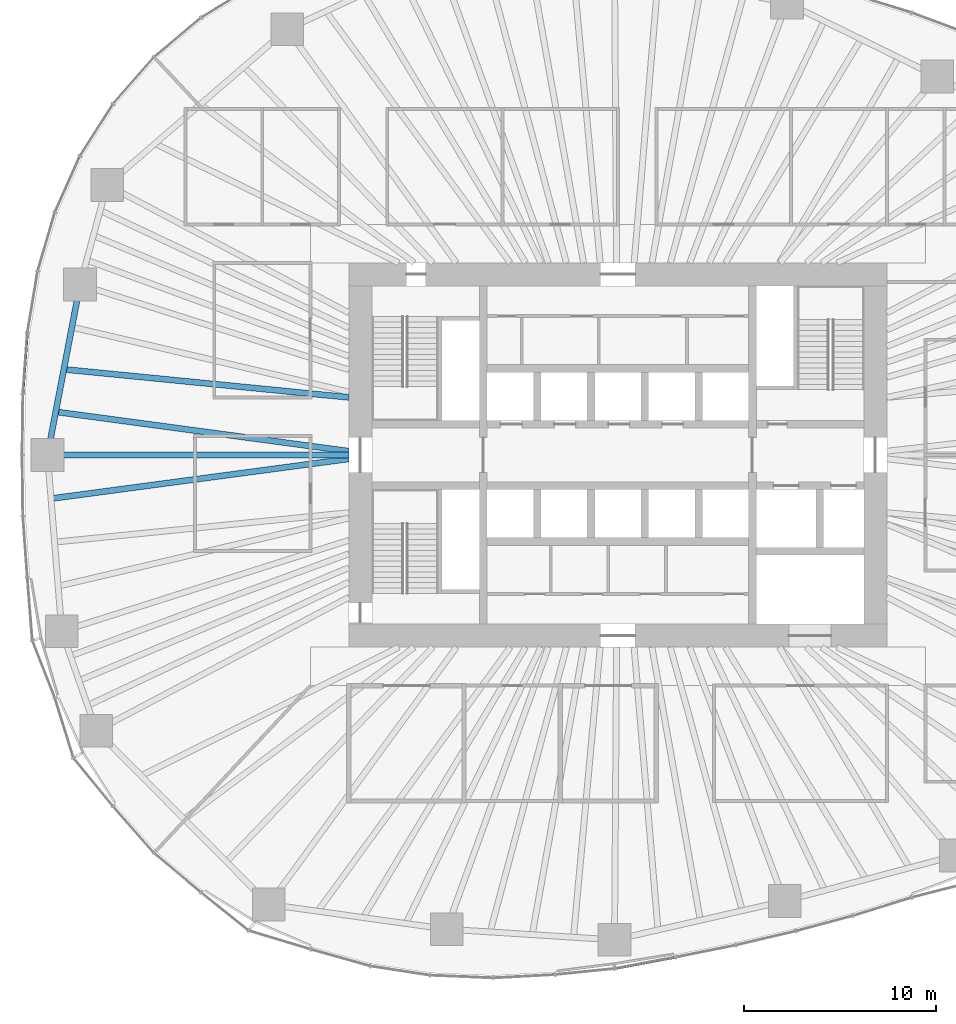
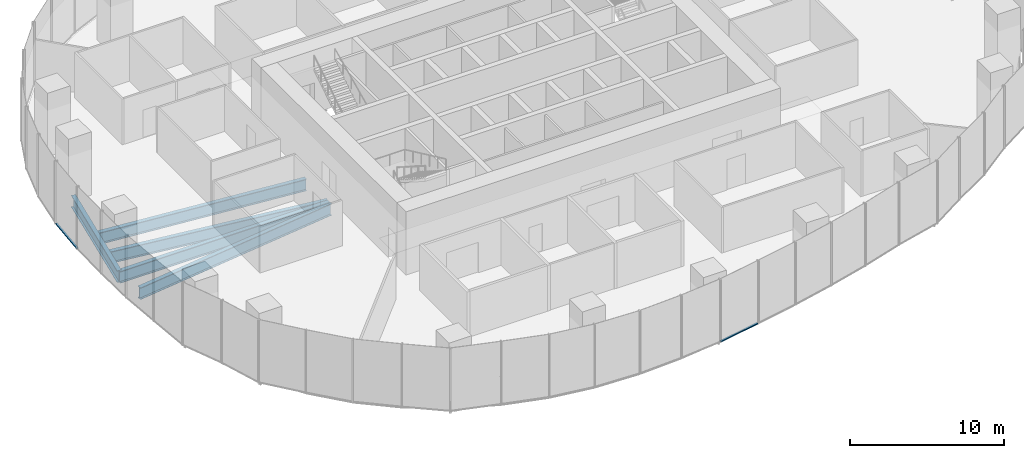
# One storey, part 3 of 19: 5 beams, 2 members, 2 elements without a shape of their own.
"""IFC4 building model written with IfcOpenShell, lengths in metres."""

from ifc_helpers import new_model, si_unit, direction, frame, origin, origin_2d, place, context, subcontext, project, spatial, rectangle, i_section, extrude, material, material_profile, profile_set, type_object, element, aggregate, save


model = new_model("IFC4")

# Units and contexts
model_context = context("Model", 3, precision=1e-05, world=origin(), true_north=direction((0.0, 1.0)))
body_context = subcontext(model_context, "Body", "Model", "MODEL_VIEW")
ifc_project = project(units=[si_unit("LENGTHUNIT", "METRE"), si_unit("AREAUNIT", "SQUARE_METRE"), si_unit("VOLUMEUNIT", "CUBIC_METRE"), si_unit("PLANEANGLEUNIT", "RADIAN"), si_unit("MASSUNIT", "GRAM", prefix="KILO")], contexts=[model_context])

# Site, building, storey
site_placement = place(None, origin())
site = spatial("IfcSite", under=ifc_project, at=site_placement, CompositionType="ELEMENT")
building_placement = place(site_placement, origin())
building = spatial("IfcBuilding", under=site, at=building_placement, Name="Ghaith Harvest Tower", CompositionType="ELEMENT")
storey_placement = place(building_placement, frame((0.0, 0.0, 75.0)))
storey = spatial("IfcBuildingStorey", under=building, at=storey_placement, Name="L15", CompositionType="ELEMENT", Elevation=75.0)

# Curtain wall, member
ifc_material_1 = material(Name="Black anodised aluminium and fritted glass", Category="aluminium")
curtain_wall_type = type_object("IfcCurtainWallType", Name="CW-F CURTAIN WALL", PredefinedType="NOTDEFINED", material=ifc_material_1)
curtain_wall_1_placement = place(storey_placement, origin())
curtain_wall_1 = element("IfcCurtainWall", 1, at=curtain_wall_1_placement, inside=storey, type_object=curtain_wall_type, Name="Curtain wall CW-F bay 10 L15", PredefinedType="NOTDEFINED")
ifc_material_2 = material(Name="Aluminium, black anodised", Category="aluminium")
ifc_material_profile_1 = material_profile(ifc_material_2, rectangle(XDim=0.139892578125, YDim=0.080078125, at=origin_2d()), Name="CW-F TRANSOM 140x80")
ifc_profile_set_1 = profile_set([ifc_material_profile_1], Name="Aluminium, black anodised")
member_type = type_object("IfcMemberType", Name="CW-F TRANSOM 140x80", PredefinedType="USERDEFINED", material=ifc_profile_set_1)
member_1_placement = place(storey_placement, frame((-30.72705078125, 6.335693359375, 0.0400390625), z_axis=(-0.072473547161, -0.997370334912, 0.0), x_axis=(0.997370334912, -0.072473547161, 0.0)))
member_1 = element("IfcMember", 2, at=member_1_placement, type_object=member_type, Name="CW-F transom 2 bay 10 L15", ObjectType="TRANSOM", PredefinedType="USERDEFINED", context=body_context, shape_type="SweptSolid", body=[
    extrude(rectangle(XDim=0.139892578125, YDim=0.080078125, at=origin_2d()), origin(), (0.0, 0.0, 1.0), 3.126220703125),
])
aggregate(curtain_wall_1, [member_1])

curtain_wall_2_placement = place(storey_placement, origin())
curtain_wall_2 = element("IfcCurtainWall", 3, at=curtain_wall_2_placement, inside=storey, type_object=curtain_wall_type, Name="Curtain wall CW-F bay 16 L15", PredefinedType="NOTDEFINED")
member_2_placement = place(storey_placement, frame((-0.1435546875, -26.709716796875, 0.0400390625), z_axis=(0.983139075124, 0.182859396706, 0.0), x_axis=(-0.182859396706, 0.983139075124, 0.0)))
member_2 = element("IfcMember", 4, at=member_2_placement, type_object=member_type, Name="CW-F transom 1 bay 16 L15", ObjectType="TRANSOM", PredefinedType="USERDEFINED", context=body_context, shape_type="SweptSolid", body=[
    extrude(rectangle(XDim=0.139892578125, YDim=0.080078125, at=origin_2d()), origin(), (0.0, 0.0, 1.0), 3.1669921875),
])
aggregate(curtain_wall_2, [member_2])

# Beams
ifc_material_3 = material(Name="Steel ASTM A992 Grade 50", Category="steel")
ifc_material_profile_2 = material_profile(ifc_material_3, i_section(OverallWidth=0.306884765625, OverallDepth=0.94189453125, WebThickness=0.022216796875, FlangeThickness=0.039794921875, at=origin_2d()), Name="W920X345")
ifc_profile_set_2 = profile_set([ifc_material_profile_2], Name="Steel ASTM A992 Grade 50")
beam_type_1 = type_object("IfcBeamType", Name="E920-345 W920X345", PredefinedType="SPANDREL", material=ifc_profile_set_2)
beam_1_placement = place(storey_placement, frame((-27.98291015625, 8.867919921875, -0.6708984375), z_axis=(-0.187433949108, -0.982277208695, 0.0), x_axis=(0.982277208695, -0.187433949108, 0.0)))
element("IfcBeam", 5, at=beam_1_placement, inside=storey, type_object=beam_type_1, Name="Edge beam E10 L15", PredefinedType="SPANDREL", context=body_context, shape_type="SweptSolid", body=[
    extrude(i_section(OverallWidth=0.306884765625, OverallDepth=0.94189453125, WebThickness=0.022216796875, FlangeThickness=0.039794921875, at=origin_2d()), origin(), (0.0, 0.0, 1.0), 9.02783203125),
])
ifc_material_4 = material(Name="Steel ASTM A992 Grade 50", Category="steel")
ifc_material_profile_3 = material_profile(ifc_material_4, i_section(OverallWidth=0.306884765625, OverallDepth=0.94189453125, WebThickness=0.022216796875, FlangeThickness=0.039794921875, at=origin_2d()), Name="W920X345")
ifc_profile_set_3 = profile_set([ifc_material_profile_3], Name="Steel ASTM A992 Grade 50")
beam_type_2 = type_object("IfcBeamType", Name="G920-345 W920X345", PredefinedType="BEAM", material=ifc_profile_set_3)
beam_2_placement = place(storey_placement, frame((-14.0, 0.0, -0.6708984375), z_axis=(-1.0, 0.0, 0.0), x_axis=(0.0, -1.0, 0.0)))
element("IfcBeam", 6, at=beam_2_placement, inside=storey, type_object=beam_type_2, Name="Radial girder G11 L15", PredefinedType="BEAM", context=body_context, shape_type="SweptSolid", body=[
    extrude(i_section(OverallWidth=0.306884765625, OverallDepth=0.94189453125, WebThickness=0.022216796875, FlangeThickness=0.039794921875, at=origin_2d()), origin(), (0.0, 0.0, 1.0), 15.675048828125),
])
ifc_material_5 = material(Name="Steel ASTM A992 Grade 50", Category="steel")
ifc_material_profile_4 = material_profile(ifc_material_5, i_section(OverallWidth=0.31005859375, OverallDepth=0.927001953125, WebThickness=0.019287109375, FlangeThickness=0.031982421875, at=origin_2d()), Name="W920X289")
ifc_profile_set_4 = profile_set([ifc_material_profile_4], Name="Steel ASTM A992 Grade 50")
beam_type_3 = type_object("IfcBeamType", Name="J920-289 W920X289", PredefinedType="JOIST", material=ifc_profile_set_4)
beam_3_placement = place(storey_placement, frame((-14.0, 3.0, -0.66357421875), z_axis=(-0.995196704135, 0.097895454848, 0.0), x_axis=(-0.097895454848, -0.995196704135, 0.0)))
element("IfcBeam", 7, at=beam_3_placement, inside=storey, type_object=beam_type_3, Name="Joist J10.2 L15", PredefinedType="JOIST", context=body_context, shape_type="SweptSolid", body=[
    extrude(i_section(OverallWidth=0.31005859375, OverallDepth=0.927001953125, WebThickness=0.019287109375, FlangeThickness=0.031982421875, at=origin_2d()), origin(), (0.0, 0.0, 1.0), 14.89599609375),
])
beam_4_placement = place(storey_placement, frame((-14.0, 0.199951171875, -0.66357421875), z_axis=(-0.991095171591, 0.133155401128, 0.0), x_axis=(-0.133155401128, -0.991095171591, 0.0)))
element("IfcBeam", 8, at=beam_4_placement, inside=storey, type_object=beam_type_3, Name="Joist J10.3 L15", PredefinedType="JOIST", context=body_context, shape_type="SweptSolid", body=[
    extrude(i_section(OverallWidth=0.31005859375, OverallDepth=0.927001953125, WebThickness=0.019287109375, FlangeThickness=0.031982421875, at=origin_2d()), origin(), (0.0, 0.0, 1.0), 15.383056640625),
])
beam_5_placement = place(storey_placement, frame((-14.0, -0.199951171875, -0.66357421875), z_axis=(-0.991213569042, -0.132271162948, 0.0), x_axis=(0.132271162948, -0.991213569042, 0.0)))
element("IfcBeam", 9, at=beam_5_placement, inside=storey, type_object=beam_type_3, Name="Joist J11.1 L15", PredefinedType="JOIST", context=body_context, shape_type="SweptSolid", body=[
    extrude(i_section(OverallWidth=0.31005859375, OverallDepth=0.927001953125, WebThickness=0.019287109375, FlangeThickness=0.031982421875, at=origin_2d()), origin(), (0.0, 0.0, 1.0), 15.6279296875),
])

save(model, "model.ifc")
